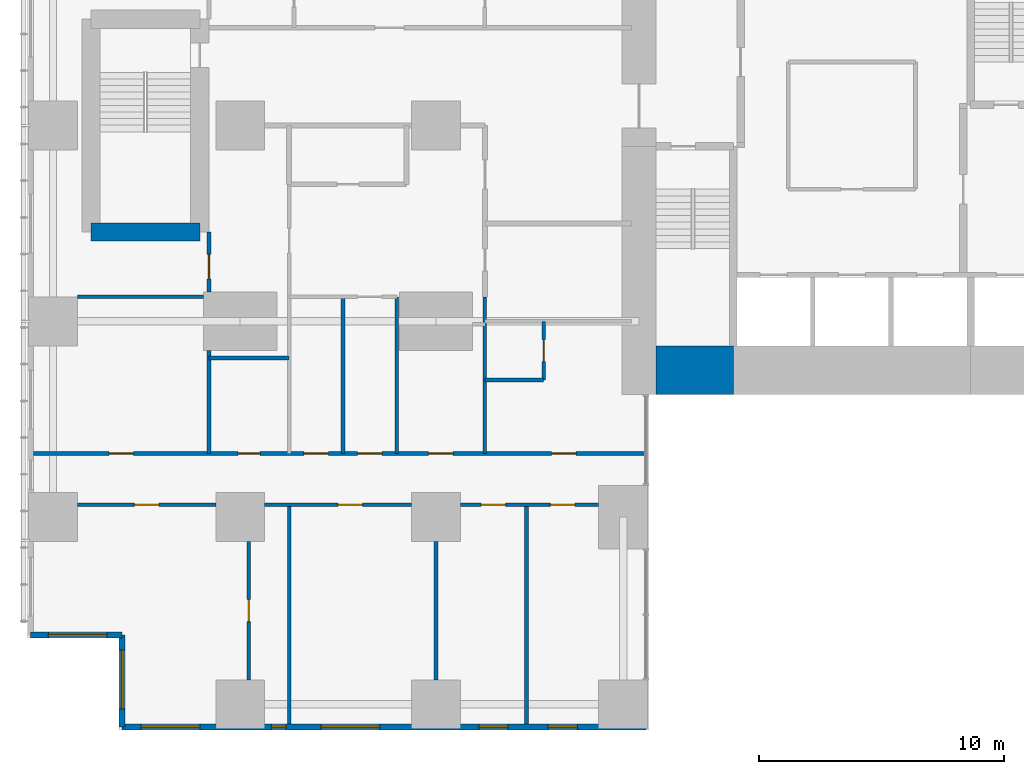
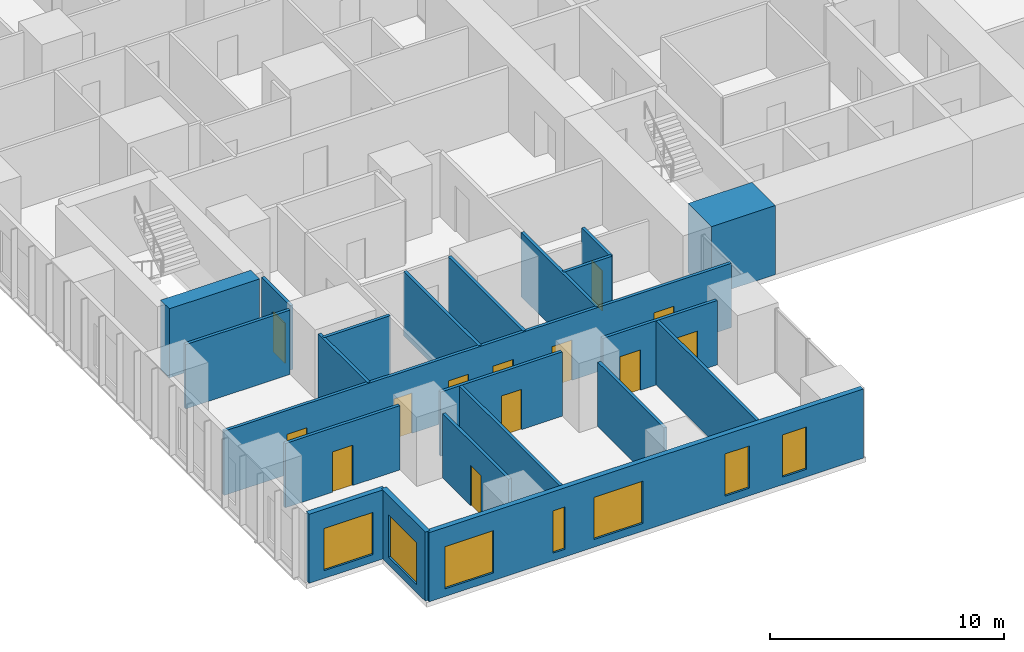
# One storey, part 12 of 20: 22 walls, 13 doors, 7 windows, 20 openings.
"""IFC4 building model written with IfcOpenShell, lengths in metres."""

from ifc_helpers import new_model, si_unit, direction, frame, frame_2d, origin, place, context, subcontext, project, spatial, rectangle, extrude, material, layer, layer_set, type_object, element, fill, save


model = new_model("IFC4")

# Units and contexts
model_context = context("Model", 3, precision=1e-05, world=origin(), true_north=direction((0.0, 1.0)))
body_context = subcontext(model_context, "Body", "Model", "MODEL_VIEW")
ifc_project = project(units=[si_unit("LENGTHUNIT", "METRE"), si_unit("AREAUNIT", "SQUARE_METRE"), si_unit("VOLUMEUNIT", "CUBIC_METRE"), si_unit("PLANEANGLEUNIT", "RADIAN"), si_unit("MASSUNIT", "GRAM", prefix="KILO")], contexts=[model_context])

# Site, building, storey
site_placement = place(None, origin())
site = spatial("IfcSite", under=ifc_project, at=site_placement, CompositionType="ELEMENT")
building_placement = place(site_placement, origin())
building = spatial("IfcBuilding", under=site, at=building_placement, Name="Cleftline Residences", CompositionType="ELEMENT")
storey_placement = place(building_placement, frame((0.0, 0.0, 121.39990234375)))
storey = spatial("IfcBuildingStorey", under=building, at=storey_placement, Name="L31", CompositionType="ELEMENT", Elevation=121.39990234375)

# Wall
ifc_material_1 = material(Name="Concrete B70", Category="concrete")
ifc_layer_1 = layer(ifc_material_1, 2.0)
ifc_layer_set_1 = layer_set([ifc_layer_1], Name="CORE WALL 2000")
wall_type_1 = type_object("IfcWallType", Name="CORE WALL 2000", PredefinedType="SHEAR", material=ifc_layer_set_1)
wall_1_placement = place(storey_placement, frame((25.0, 14.0, 0.0), z_axis=(0.0, 0.0, 1.0), x_axis=(1.0, 0.0, 0.0)))
element("IfcWall", 1, at=wall_1_placement, inside=storey, type_object=wall_type_1, Name="Core wall S1", PredefinedType="SHEAR", context=body_context, shape_type="SweptSolid", body=[
    extrude(rectangle(XDim=3.14990234375, YDim=2.0, at=frame_2d((1.574951171875, 0.0))), origin(), (0.0, 0.0, 1.0), 3.60009765625),
])

# Wall, opening, window
ifc_material_2 = material(Name="Rendered reinforced concrete blockwork", Category="masonry")
ifc_layer_2 = layer(ifc_material_2, 0.25)
ifc_layer_set_2 = layer_set([ifc_layer_2], Name="EXTERNAL WALL 250")
wall_type_2 = type_object("IfcWallType", Name="EXTERNAL WALL 250", PredefinedType="SOLIDWALL", material=ifc_layer_set_2)
wall_2_placement = place(storey_placement, frame((-0.574951171875, 3.175048828125, 0.0), z_axis=(0.0, 0.0, 1.0), x_axis=(1.0, 0.0, 0.0)))
wall_2 = element("IfcWall", 2, at=wall_2_placement, inside=storey, type_object=wall_type_2, Name="External wall", PredefinedType="SOLIDWALL", context=body_context, shape_type="SweptSolid", body=[
    extrude(rectangle(XDim=3.75, YDim=0.25, at=frame_2d((1.875, 0.0))), origin(), (0.0, 0.0, 1.0), 3.60009765625),
])
opening_1_placement = place(wall_2_placement, frame((0.737548828125, 0.0, 0.39990234375)))
opening_1 = element("IfcOpeningElement", 3, at=opening_1_placement, cuts=wall_2, Name="Opening W12", PredefinedType="OPENING", context=body_context, shape_type="SweptSolid", body=[
    extrude(rectangle(XDim=2.39990234375, YDim=2.199951171875, at=frame_2d((1.199951171875, 1.10009765625))), frame((0.0, 0.135009765625, 0.0), z_axis=(0.0, -1.0, 0.0), x_axis=(1.0, 0.0, 0.0)), (0.0, 0.0, 1.0), 0.27001953125),
])
ifc_material_3 = material(Name="Aluminium frame, clear double glazing", Category="aluminium")
window_type_1 = type_object("IfcWindowType", Name="WINDOW 2400X2200", PartitioningType="DOUBLE_PANEL_VERTICAL", PredefinedType="WINDOW", material=ifc_material_3)
window_1_placement = place(opening_1_placement, origin())
window_1 = element("IfcWindow", 4, at=window_1_placement, inside=storey, type_object=window_type_1, Name="Window", OverallHeight=2.199951171875, OverallWidth=2.39990234375, PartitioningType="SINGLE_PANEL", PredefinedType="WINDOW", context=body_context, shape_type="SweptSolid", body=[
    extrude(rectangle(XDim=2.39990234375, YDim=2.199951171875, at=frame_2d((1.199951171875, 1.10009765625))), frame((0.0, 0.030029296875, 0.0), z_axis=(0.0, -1.0, 0.0), x_axis=(1.0, 0.0, 0.0)), (0.0, 0.0, 1.0), 0.06005859375),
])
fill(opening_1, window_1)

wall_3_placement = place(storey_placement, frame((3.175048828125, 3.175048828125, 0.0), z_axis=(0.0, 0.0, 1.0), x_axis=(0.0, -1.0, 0.0)))
wall_3 = element("IfcWall", 5, at=wall_3_placement, inside=storey, type_object=wall_type_2, Name="External wall", PredefinedType="SOLIDWALL", context=body_context, shape_type="SweptSolid", body=[
    extrude(rectangle(XDim=3.75, YDim=0.25, at=frame_2d((1.875, 0.0))), origin(), (0.0, 0.0, 1.0), 3.60009765625),
])
opening_2_placement = place(wall_3_placement, frame((0.612548828125, 0.0, 0.39990234375)))
opening_2 = element("IfcOpeningElement", 6, at=opening_2_placement, cuts=wall_3, Name="Opening W12", PredefinedType="OPENING", context=body_context, shape_type="SweptSolid", body=[
    extrude(rectangle(XDim=2.39990234375, YDim=2.199951171875, at=frame_2d((1.199951171875, 1.10009765625))), frame((0.0, 0.135009765625, 0.0), z_axis=(0.0, -1.0, 0.0), x_axis=(1.0, 0.0, 0.0)), (0.0, 0.0, 1.0), 0.27001953125),
])
window_2_placement = place(opening_2_placement, origin())
window_2 = element("IfcWindow", 7, at=window_2_placement, inside=storey, type_object=window_type_1, Name="Window", OverallHeight=2.199951171875, OverallWidth=2.39990234375, PartitioningType="SINGLE_PANEL", PredefinedType="WINDOW", context=body_context, shape_type="SweptSolid", body=[
    extrude(rectangle(XDim=2.39990234375, YDim=2.199951171875, at=frame_2d((1.199951171875, 1.10009765625))), frame((0.0, 0.030029296875, 0.0), z_axis=(0.0, -1.0, 0.0), x_axis=(1.0, 0.0, 0.0)), (0.0, 0.0, 1.0), 0.06005859375),
])
fill(opening_2, window_2)

# Wall, openings, windows
wall_4_placement = place(storey_placement, frame((3.175048828125, -0.574951171875, 0.0), z_axis=(0.0, 0.0, 1.0), x_axis=(1.0, 0.0, 0.0)))
wall_4 = element("IfcWall", 8, at=wall_4_placement, inside=storey, type_object=wall_type_2, Name="External wall", PredefinedType="SOLIDWALL", context=body_context, shape_type="SweptSolid", body=[
    extrude(rectangle(XDim=21.39990234375, YDim=0.25, at=frame_2d((10.699951171875, 0.0))), origin(), (0.0, 0.0, 1.0), 3.60009765625),
])
opening_3_placement = place(wall_4_placement, frame((0.77490234375, 0.0, 0.39990234375)))
opening_3 = element("IfcOpeningElement", 9, at=opening_3_placement, cuts=wall_4, Name="Opening W12", PredefinedType="OPENING", context=body_context, shape_type="SweptSolid", body=[
    extrude(rectangle(XDim=2.39990234375, YDim=2.199951171875, at=frame_2d((1.199951171875, 1.10009765625))), frame((0.0, 0.135009765625, 0.0), z_axis=(0.0, -1.0, 0.0), x_axis=(1.0, 0.0, 0.0)), (0.0, 0.0, 1.0), 0.27001953125),
])
opening_4_placement = place(wall_4_placement, frame((6.10009765625, 0.0, 0.39990234375)))
opening_4 = element("IfcOpeningElement", 10, at=opening_4_placement, cuts=wall_4, Name="Opening W10", PredefinedType="OPENING", context=body_context, shape_type="SweptSolid", body=[
    extrude(rectangle(XDim=0.60009765625, YDim=2.199951171875, at=frame_2d((0.300048828125, 1.10009765625))), frame((0.0, 0.135009765625, 0.0), z_axis=(0.0, -1.0, 0.0), x_axis=(1.0, 0.0, 0.0)), (0.0, 0.0, 1.0), 0.27001953125),
])
opening_5_placement = place(wall_4_placement, frame((8.125, 0.0, 0.39990234375)))
opening_5 = element("IfcOpeningElement", 11, at=opening_5_placement, cuts=wall_4, Name="Opening W12", PredefinedType="OPENING", context=body_context, shape_type="SweptSolid", body=[
    extrude(rectangle(XDim=2.39990234375, YDim=2.199951171875, at=frame_2d((1.199951171875, 1.10009765625))), frame((0.0, 0.135009765625, 0.0), z_axis=(0.0, -1.0, 0.0), x_axis=(1.0, 0.0, 0.0)), (0.0, 0.0, 1.0), 0.27001953125),
])
opening_6_placement = place(wall_4_placement, frame((14.574951171875, 0.0, 0.39990234375)))
opening_6 = element("IfcOpeningElement", 12, at=opening_6_placement, cuts=wall_4, Name="Opening W11", PredefinedType="OPENING", context=body_context, shape_type="SweptSolid", body=[
    extrude(rectangle(XDim=1.199951171875, YDim=2.199951171875, at=frame_2d((0.60009765625, 1.10009765625))), frame((0.0, 0.135009765625, 0.0), z_axis=(0.0, -1.0, 0.0), x_axis=(1.0, 0.0, 0.0)), (0.0, 0.0, 1.0), 0.27001953125),
])
opening_7_placement = place(wall_4_placement, frame((17.39990234375, 0.0, 0.39990234375)))
opening_7 = element("IfcOpeningElement", 13, at=opening_7_placement, cuts=wall_4, Name="Opening W11", PredefinedType="OPENING", context=body_context, shape_type="SweptSolid", body=[
    extrude(rectangle(XDim=1.199951171875, YDim=2.199951171875, at=frame_2d((0.60009765625, 1.10009765625))), frame((0.0, 0.135009765625, 0.0), z_axis=(0.0, -1.0, 0.0), x_axis=(1.0, 0.0, 0.0)), (0.0, 0.0, 1.0), 0.27001953125),
])
ifc_material_4 = material(Name="Aluminium frame, clear double glazing", Category="aluminium")
window_type_2 = type_object("IfcWindowType", Name="WINDOW 1200X2200", PartitioningType="DOUBLE_PANEL_VERTICAL", PredefinedType="WINDOW", material=ifc_material_4)
window_3_placement = place(opening_6_placement, origin())
window_3 = element("IfcWindow", 14, at=window_3_placement, inside=storey, type_object=window_type_2, Name="Window", OverallHeight=2.199951171875, OverallWidth=1.199951171875, PartitioningType="SINGLE_PANEL", PredefinedType="WINDOW", context=body_context, shape_type="SweptSolid", body=[
    extrude(rectangle(XDim=1.199951171875, YDim=2.199951171875, at=frame_2d((0.60009765625, 1.10009765625))), frame((0.0, 0.030029296875, 0.0), z_axis=(0.0, -1.0, 0.0), x_axis=(1.0, 0.0, 0.0)), (0.0, 0.0, 1.0), 0.06005859375),
])
fill(opening_6, window_3)
window_4_placement = place(opening_7_placement, origin())
window_4 = element("IfcWindow", 15, at=window_4_placement, inside=storey, type_object=window_type_2, Name="Window", OverallHeight=2.199951171875, OverallWidth=1.199951171875, PartitioningType="SINGLE_PANEL", PredefinedType="WINDOW", context=body_context, shape_type="SweptSolid", body=[
    extrude(rectangle(XDim=1.199951171875, YDim=2.199951171875, at=frame_2d((0.60009765625, 1.10009765625))), frame((0.0, 0.030029296875, 0.0), z_axis=(0.0, -1.0, 0.0), x_axis=(1.0, 0.0, 0.0)), (0.0, 0.0, 1.0), 0.06005859375),
])
fill(opening_7, window_4)
window_5_placement = place(opening_3_placement, origin())
window_5 = element("IfcWindow", 16, at=window_5_placement, inside=storey, type_object=window_type_1, Name="Window", OverallHeight=2.199951171875, OverallWidth=2.39990234375, PartitioningType="SINGLE_PANEL", PredefinedType="WINDOW", context=body_context, shape_type="SweptSolid", body=[
    extrude(rectangle(XDim=2.39990234375, YDim=2.199951171875, at=frame_2d((1.199951171875, 1.10009765625))), frame((0.0, 0.030029296875, 0.0), z_axis=(0.0, -1.0, 0.0), x_axis=(1.0, 0.0, 0.0)), (0.0, 0.0, 1.0), 0.06005859375),
])
fill(opening_3, window_5)
window_6_placement = place(opening_5_placement, origin())
window_6 = element("IfcWindow", 17, at=window_6_placement, inside=storey, type_object=window_type_1, Name="Window", OverallHeight=2.199951171875, OverallWidth=2.39990234375, PartitioningType="SINGLE_PANEL", PredefinedType="WINDOW", context=body_context, shape_type="SweptSolid", body=[
    extrude(rectangle(XDim=2.39990234375, YDim=2.199951171875, at=frame_2d((1.199951171875, 1.10009765625))), frame((0.0, 0.030029296875, 0.0), z_axis=(0.0, -1.0, 0.0), x_axis=(1.0, 0.0, 0.0)), (0.0, 0.0, 1.0), 0.06005859375),
])
fill(opening_5, window_6)
ifc_material_5 = material(Name="Aluminium frame, clear double glazing", Category="aluminium")
window_type_3 = type_object("IfcWindowType", Name="WINDOW 600X2200", PartitioningType="DOUBLE_PANEL_VERTICAL", PredefinedType="WINDOW", material=ifc_material_5)
window_7_placement = place(opening_4_placement, origin())
window_7 = element("IfcWindow", 18, at=window_7_placement, inside=storey, type_object=window_type_3, Name="Window", OverallHeight=2.199951171875, OverallWidth=0.60009765625, PartitioningType="SINGLE_PANEL", PredefinedType="WINDOW", context=body_context, shape_type="SweptSolid", body=[
    extrude(rectangle(XDim=0.60009765625, YDim=2.199951171875, at=frame_2d((0.300048828125, 1.10009765625))), frame((0.0, 0.030029296875, 0.0), z_axis=(0.0, -1.0, 0.0), x_axis=(1.0, 0.0, 0.0)), (0.0, 0.0, 1.0), 0.06005859375),
])
fill(opening_4, window_7)

# Wall, opening, door
ifc_material_6 = material(Name="Gypsum board on steel studs", Category="steel")
ifc_layer_3 = layer(ifc_material_6, 0.14990234375)
ifc_layer_set_3 = layer_set([ifc_layer_3], Name="PARTITION 150")
wall_type_3 = type_object("IfcWallType", Name="PARTITION 150", PredefinedType="PARTITIONING", material=ifc_layer_set_3)
wall_5_placement = place(storey_placement, frame((1.35009765625, 8.5, 0.0), z_axis=(0.0, 0.0, 1.0), x_axis=(1.0, 0.0, 0.0)))
wall_5 = element("IfcWall", 19, at=wall_5_placement, inside=storey, type_object=wall_type_3, Name="Partition", PredefinedType="PARTITIONING", context=body_context, shape_type="SweptSolid", body=[
    extrude(rectangle(XDim=5.64990234375, YDim=0.14990234375, at=frame_2d((2.824951171875, 0.0))), origin(), (0.0, 0.0, 1.0), 3.35009765625),
])
opening_8_placement = place(wall_5_placement, frame((2.324951171875, 0.0, 0.0)))
opening_8 = element("IfcOpeningElement", 20, at=opening_8_placement, cuts=wall_5, Name="Opening D2", PredefinedType="OPENING", context=body_context, shape_type="SweptSolid", body=[
    extrude(rectangle(XDim=1.0, YDim=2.10009765625, at=frame_2d((0.5, 1.050048828125))), frame((0.0, 0.0849609375, 0.0), z_axis=(0.0, -1.0, 0.0), x_axis=(1.0, 0.0, 0.0)), (0.0, 0.0, 1.0), 0.169921875),
])
ifc_material_7 = material(Name="Timber veneer on solid core", Category="wood")
door_type_1 = type_object("IfcDoorType", Name="DOOR 1000X2100", OperationType="SINGLE_SWING_LEFT", PredefinedType="DOOR", material=ifc_material_7)
door_1_placement = place(opening_8_placement, origin())
door_1 = element("IfcDoor", 21, at=door_1_placement, inside=storey, type_object=door_type_1, Name="Door to formal living room", OperationType="SINGLE_SWING_LEFT", OverallHeight=2.10009765625, OverallWidth=1.0, PredefinedType="DOOR", context=body_context, shape_type="SweptSolid", body=[
    extrude(rectangle(XDim=1.0, YDim=2.10009765625, at=frame_2d((0.5, 1.050048828125))), frame((0.0, 0.02490234375, 0.0), z_axis=(0.0, -1.0, 0.0), x_axis=(1.0, 0.0, 0.0)), (0.0, 0.0, 1.0), 0.050048828125),
])
fill(opening_8, door_1)

wall_6_placement = place(storey_placement, frame((9.0, 8.5, 0.0), z_axis=(0.0, 0.0, 1.0), x_axis=(1.0, 0.0, 0.0)))
wall_6 = element("IfcWall", 22, at=wall_6_placement, inside=storey, type_object=wall_type_3, Name="Partition", PredefinedType="PARTITIONING", context=body_context, shape_type="SweptSolid", body=[
    extrude(rectangle(XDim=6.0, YDim=0.14990234375, at=frame_2d((3.0, 0.0))), origin(), (0.0, 0.0, 1.0), 3.35009765625),
])
opening_9_placement = place(wall_6_placement, frame((3.0, 0.0, 0.0)))
opening_9 = element("IfcOpeningElement", 23, at=opening_9_placement, cuts=wall_6, Name="Opening D2", PredefinedType="OPENING", context=body_context, shape_type="SweptSolid", body=[
    extrude(rectangle(XDim=1.0, YDim=2.10009765625, at=frame_2d((0.5, 1.050048828125))), frame((0.0, 0.0849609375, 0.0), z_axis=(0.0, -1.0, 0.0), x_axis=(1.0, 0.0, 0.0)), (0.0, 0.0, 1.0), 0.169921875),
])
door_2_placement = place(opening_9_placement, origin())
door_2 = element("IfcDoor", 24, at=door_2_placement, inside=storey, type_object=door_type_1, Name="Door to formal dining room", OperationType="SINGLE_SWING_LEFT", OverallHeight=2.10009765625, OverallWidth=1.0, PredefinedType="DOOR", context=body_context, shape_type="SweptSolid", body=[
    extrude(rectangle(XDim=1.0, YDim=2.10009765625, at=frame_2d((0.5, 1.050048828125))), frame((0.0, 0.02490234375, 0.0), z_axis=(0.0, -1.0, 0.0), x_axis=(1.0, 0.0, 0.0)), (0.0, 0.0, 1.0), 0.050048828125),
])
fill(opening_9, door_2)

# Wall, openings, doors
wall_7_placement = place(storey_placement, frame((17.0, 8.5, 0.0), z_axis=(0.0, 0.0, 1.0), x_axis=(1.0, 0.0, 0.0)))
wall_7 = element("IfcWall", 25, at=wall_7_placement, inside=storey, type_object=wall_type_3, Name="Partition", PredefinedType="PARTITIONING", context=body_context, shape_type="SweptSolid", body=[
    extrude(rectangle(XDim=5.64990234375, YDim=0.14990234375, at=frame_2d((2.824951171875, 0.0))), origin(), (0.0, 0.0, 1.0), 3.35009765625),
])
opening_10_placement = place(wall_7_placement, frame((0.85009765625, 0.0, 0.0)))
opening_10 = element("IfcOpeningElement", 26, at=opening_10_placement, cuts=wall_7, Name="Opening D2", PredefinedType="OPENING", context=body_context, shape_type="SweptSolid", body=[
    extrude(rectangle(XDim=1.0, YDim=2.10009765625, at=frame_2d((0.5, 1.050048828125))), frame((0.0, 0.0849609375, 0.0), z_axis=(0.0, -1.0, 0.0), x_axis=(1.0, 0.0, 0.0)), (0.0, 0.0, 1.0), 0.169921875),
])
opening_11_placement = place(wall_7_placement, frame((3.675048828125, 0.0, 0.0)))
opening_11 = element("IfcOpeningElement", 27, at=opening_11_placement, cuts=wall_7, Name="Opening D2", PredefinedType="OPENING", context=body_context, shape_type="SweptSolid", body=[
    extrude(rectangle(XDim=1.0, YDim=2.10009765625, at=frame_2d((0.5, 1.050048828125))), frame((0.0, 0.0849609375, 0.0), z_axis=(0.0, -1.0, 0.0), x_axis=(1.0, 0.0, 0.0)), (0.0, 0.0, 1.0), 0.169921875),
])
door_3_placement = place(opening_10_placement, origin())
door_3 = element("IfcDoor", 28, at=door_3_placement, inside=storey, type_object=door_type_1, Name="Door to breakfast room", OperationType="SINGLE_SWING_RIGHT", OverallHeight=2.10009765625, OverallWidth=1.0, PredefinedType="DOOR", context=body_context, shape_type="SweptSolid", body=[
    extrude(rectangle(XDim=1.0, YDim=2.10009765625, at=frame_2d((0.5, 1.050048828125))), frame((0.0, 0.02490234375, 0.0), z_axis=(0.0, -1.0, 0.0), x_axis=(1.0, 0.0, 0.0)), (0.0, 0.0, 1.0), 0.050048828125),
])
fill(opening_10, door_3)
door_4_placement = place(opening_11_placement, origin())
door_4 = element("IfcDoor", 29, at=door_4_placement, inside=storey, type_object=door_type_1, Name="Door to show kitchen", OperationType="SINGLE_SWING_LEFT", OverallHeight=2.10009765625, OverallWidth=1.0, PredefinedType="DOOR", context=body_context, shape_type="SweptSolid", body=[
    extrude(rectangle(XDim=1.0, YDim=2.10009765625, at=frame_2d((0.5, 1.050048828125))), frame((0.0, 0.02490234375, 0.0), z_axis=(0.0, -1.0, 0.0), x_axis=(1.0, 0.0, 0.0)), (0.0, 0.0, 1.0), 0.050048828125),
])
fill(opening_11, door_4)

wall_8_placement = place(storey_placement, frame((-0.449951171875, 10.60009765625, 0.0), z_axis=(0.0, 0.0, 1.0), x_axis=(1.0, 0.0, 0.0)))
wall_8 = element("IfcWall", 30, at=wall_8_placement, inside=storey, type_object=wall_type_3, Name="Partition", PredefinedType="PARTITIONING", context=body_context, shape_type="SweptSolid", body=[
    extrude(rectangle(XDim=25.010986328125, YDim=0.14990234375, at=frame_2d((12.50537109375, 0.0))), origin(), (0.0, 0.0, 1.0), 3.35009765625),
])
opening_12_placement = place(wall_8_placement, frame((13.25, 0.0, 0.0)))
opening_12 = element("IfcOpeningElement", 31, at=opening_12_placement, cuts=wall_8, Name="Opening D2F30", PredefinedType="OPENING", context=body_context, shape_type="SweptSolid", body=[
    extrude(rectangle(XDim=1.0, YDim=2.10009765625, at=frame_2d((0.5, 1.050048828125))), frame((0.0, 0.0849609375, 0.0), z_axis=(0.0, -1.0, 0.0), x_axis=(1.0, 0.0, 0.0)), (0.0, 0.0, 1.0), 0.169921875),
])
opening_13_placement = place(wall_8_placement, frame((3.08740234375, 0.0, 0.0)))
opening_13 = element("IfcOpeningElement", 32, at=opening_13_placement, cuts=wall_8, Name="Opening D2F30", PredefinedType="OPENING", context=body_context, shape_type="SweptSolid", body=[
    extrude(rectangle(XDim=1.0, YDim=2.10009765625, at=frame_2d((0.5, 1.050048828125))), frame((0.0, 0.0849609375, 0.0), z_axis=(0.0, -1.0, 0.0), x_axis=(1.0, 0.0, 0.0)), (0.0, 0.0, 1.0), 0.169921875),
])
opening_14_placement = place(wall_8_placement, frame((8.362548828125, 0.0, 0.0)))
opening_14 = element("IfcOpeningElement", 33, at=opening_14_placement, cuts=wall_8, Name="Opening D1F30", PredefinedType="OPENING", context=body_context, shape_type="SweptSolid", body=[
    extrude(rectangle(XDim=0.89990234375, YDim=2.10009765625, at=frame_2d((0.449951171875, 1.050048828125))), frame((0.0, 0.0849609375, 0.0), z_axis=(0.0, -1.0, 0.0), x_axis=(1.0, 0.0, 0.0)), (0.0, 0.0, 1.0), 0.169921875),
])
opening_15_placement = place(wall_8_placement, frame((11.050048828125, 0.0, 0.0)))
opening_15 = element("IfcOpeningElement", 34, at=opening_15_placement, cuts=wall_8, Name="Opening D2F30", PredefinedType="OPENING", context=body_context, shape_type="SweptSolid", body=[
    extrude(rectangle(XDim=1.0, YDim=2.10009765625, at=frame_2d((0.5, 1.050048828125))), frame((0.0, 0.0849609375, 0.0), z_axis=(0.0, -1.0, 0.0), x_axis=(1.0, 0.0, 0.0)), (0.0, 0.0, 1.0), 0.169921875),
])
opening_16_placement = place(wall_8_placement, frame((16.14990234375, 0.0, 0.0)))
opening_16 = element("IfcOpeningElement", 35, at=opening_16_placement, cuts=wall_8, Name="Opening D2F30", PredefinedType="OPENING", context=body_context, shape_type="SweptSolid", body=[
    extrude(rectangle(XDim=1.0, YDim=2.10009765625, at=frame_2d((0.5, 1.050048828125))), frame((0.0, 0.0849609375, 0.0), z_axis=(0.0, -1.0, 0.0), x_axis=(1.0, 0.0, 0.0)), (0.0, 0.0, 1.0), 0.169921875),
])
opening_17_placement = place(wall_8_placement, frame((21.175048828125, 0.0, 0.0)))
opening_17 = element("IfcOpeningElement", 36, at=opening_17_placement, cuts=wall_8, Name="Opening D2F30", PredefinedType="OPENING", context=body_context, shape_type="SweptSolid", body=[
    extrude(rectangle(XDim=1.0, YDim=2.10009765625, at=frame_2d((0.5, 1.050048828125))), frame((0.0, 0.0849609375, 0.0), z_axis=(0.0, -1.0, 0.0), x_axis=(1.0, 0.0, 0.0)), (0.0, 0.0, 1.0), 0.169921875),
])
ifc_material_8 = material(Name="Timber veneer on solid core", Category="wood")
door_type_2 = type_object("IfcDoorType", Name="DOOR 1000X2100 EI 30", OperationType="SINGLE_SWING_LEFT", PredefinedType="DOOR", material=ifc_material_8)
door_5_placement = place(opening_12_placement, origin())
door_5 = element("IfcDoor", 37, at=door_5_placement, inside=storey, type_object=door_type_2, Name="Door to residence hall (gallery)", OperationType="SINGLE_SWING_LEFT", OverallHeight=2.10009765625, OverallWidth=1.0, PredefinedType="DOOR", context=body_context, shape_type="SweptSolid", body=[
    extrude(rectangle(XDim=1.0, YDim=2.10009765625, at=frame_2d((0.5, 1.050048828125))), frame((0.0, 0.02490234375, 0.0), z_axis=(0.0, -1.0, 0.0), x_axis=(1.0, 0.0, 0.0)), (0.0, 0.0, 1.0), 0.050048828125),
])
fill(opening_12, door_5)
door_6_placement = place(opening_13_placement, origin())
door_6 = element("IfcDoor", 38, at=door_6_placement, inside=storey, type_object=door_type_2, Name="Door to winter garden", OperationType="SINGLE_SWING_RIGHT", OverallHeight=2.10009765625, OverallWidth=1.0, PredefinedType="DOOR", context=body_context, shape_type="SweptSolid", body=[
    extrude(rectangle(XDim=1.0, YDim=2.10009765625, at=frame_2d((0.5, 1.050048828125))), frame((0.0, 0.02490234375, 0.0), z_axis=(0.0, -1.0, 0.0), x_axis=(1.0, 0.0, 0.0)), (0.0, 0.0, 1.0), 0.050048828125),
])
fill(opening_13, door_6)
door_7_placement = place(opening_15_placement, origin())
door_7 = element("IfcDoor", 39, at=door_7_placement, inside=storey, type_object=door_type_2, Name="Door to family room", OperationType="SINGLE_SWING_RIGHT", OverallHeight=2.10009765625, OverallWidth=1.0, PredefinedType="DOOR", context=body_context, shape_type="SweptSolid", body=[
    extrude(rectangle(XDim=1.0, YDim=2.10009765625, at=frame_2d((0.5, 1.050048828125))), frame((0.0, 0.02490234375, 0.0), z_axis=(0.0, -1.0, 0.0), x_axis=(1.0, 0.0, 0.0)), (0.0, 0.0, 1.0), 0.050048828125),
])
fill(opening_15, door_7)
door_8_placement = place(opening_16_placement, origin())
door_8 = element("IfcDoor", 40, at=door_8_placement, inside=storey, type_object=door_type_2, Name="Door to wet kitchen", OperationType="SINGLE_SWING_LEFT", OverallHeight=2.10009765625, OverallWidth=1.0, PredefinedType="DOOR", context=body_context, shape_type="SweptSolid", body=[
    extrude(rectangle(XDim=1.0, YDim=2.10009765625, at=frame_2d((0.5, 1.050048828125))), frame((0.0, 0.02490234375, 0.0), z_axis=(0.0, -1.0, 0.0), x_axis=(1.0, 0.0, 0.0)), (0.0, 0.0, 1.0), 0.050048828125),
])
fill(opening_16, door_8)
door_9_placement = place(opening_17_placement, origin())
door_9 = element("IfcDoor", 41, at=door_9_placement, inside=storey, type_object=door_type_2, Name="Door to staff bedroom", OperationType="SINGLE_SWING_LEFT", OverallHeight=2.10009765625, OverallWidth=1.0, PredefinedType="DOOR", context=body_context, shape_type="SweptSolid", body=[
    extrude(rectangle(XDim=1.0, YDim=2.10009765625, at=frame_2d((0.5, 1.050048828125))), frame((0.0, 0.02490234375, 0.0), z_axis=(0.0, -1.0, 0.0), x_axis=(1.0, 0.0, 0.0)), (0.0, 0.0, 1.0), 0.050048828125),
])
fill(opening_17, door_9)
ifc_material_9 = material(Name="Timber veneer on solid core", Category="wood")
door_type_3 = type_object("IfcDoorType", Name="DOOR 900X2100 EI 30", OperationType="SINGLE_SWING_LEFT", PredefinedType="DOOR", material=ifc_material_9)
door_10_placement = place(opening_14_placement, origin())
door_10 = element("IfcDoor", 42, at=door_10_placement, inside=storey, type_object=door_type_3, Name="Door to store room", OperationType="SINGLE_SWING_RIGHT", OverallHeight=2.10009765625, OverallWidth=0.89990234375, PredefinedType="DOOR", context=body_context, shape_type="SweptSolid", body=[
    extrude(rectangle(XDim=0.89990234375, YDim=2.10009765625, at=frame_2d((0.449951171875, 1.050048828125))), frame((0.0, 0.02490234375, 0.0), z_axis=(0.0, -1.0, 0.0), x_axis=(1.0, 0.0, 0.0)), (0.0, 0.0, 1.0), 0.050048828125),
])
fill(opening_14, door_10)

# Walls
wall_9_placement = place(storey_placement, frame((18.0, 13.60009765625, 0.0), z_axis=(0.0, 0.0, 1.0), x_axis=(1.0, 0.0, 0.0)))
element("IfcWall", 43, at=wall_9_placement, inside=storey, type_object=wall_type_3, Name="Partition", PredefinedType="PARTITIONING", context=body_context, shape_type="SweptSolid", body=[
    extrude(rectangle(XDim=2.39990234375, YDim=0.14990234375, at=frame_2d((1.199951171875, 0.0))), origin(), (0.0, 0.0, 1.0), 3.35009765625),
])
wall_10_placement = place(storey_placement, frame((6.72509765625, 14.5, 0.0), z_axis=(0.0, 0.0, 1.0), x_axis=(1.0, 0.0, 0.0)))
element("IfcWall", 44, at=wall_10_placement, inside=storey, type_object=wall_type_3, Name="Partition", PredefinedType="PARTITIONING", context=body_context, shape_type="SweptSolid", body=[
    extrude(rectangle(XDim=3.27490234375, YDim=0.14990234375, at=frame_2d((1.637451171875, 0.0))), origin(), (0.0, 0.0, 1.0), 3.35009765625),
])
wall_11_placement = place(storey_placement, frame((1.35009765625, 17.0, 0.0), z_axis=(0.0, 0.0, 1.0), x_axis=(1.0, 0.0, 0.0)))
element("IfcWall", 45, at=wall_11_placement, inside=storey, type_object=wall_type_3, Name="Partition", PredefinedType="PARTITIONING", context=body_context, shape_type="SweptSolid", body=[
    extrude(rectangle(XDim=5.14990234375, YDim=0.14990234375, at=frame_2d((2.574951171875, 0.0))), origin(), (0.0, 0.0, 1.0), 3.35009765625),
])
wall_12_placement = place(storey_placement, frame((6.72509765625, 10.60009765625, 0.0), z_axis=(0.0, 0.0, 1.0), x_axis=(0.0, 1.0, 0.0)))
element("IfcWall", 46, at=wall_12_placement, inside=storey, type_object=wall_type_3, Name="Partition", PredefinedType="PARTITIONING", context=body_context, shape_type="SweptSolid", body=[
    extrude(rectangle(XDim=4.199951171875, YDim=0.14990234375, at=frame_2d((2.10009765625, 0.0))), origin(), (0.0, 0.0, 1.0), 3.35009765625),
])

# Wall, opening, door
wall_13_placement = place(storey_placement, frame((6.72509765625, 17.199951171875, 0.0), z_axis=(0.0, 0.0, 1.0), x_axis=(0.0, 1.0, 0.0)))
wall_13 = element("IfcWall", 47, at=wall_13_placement, inside=storey, type_object=wall_type_3, Name="Partition", PredefinedType="PARTITIONING", context=body_context, shape_type="SweptSolid", body=[
    extrude(rectangle(XDim=2.449951171875, YDim=0.14990234375, at=frame_2d((1.22509765625, 0.0))), origin(), (0.0, 0.0, 1.0), 3.35009765625),
])
opening_18_placement = place(wall_13_placement, frame((0.53759765625, 0.0, 0.0)))
opening_18 = element("IfcOpeningElement", 48, at=opening_18_placement, cuts=wall_13, Name="Opening D2", PredefinedType="OPENING", context=body_context, shape_type="SweptSolid", body=[
    extrude(rectangle(XDim=1.0, YDim=2.10009765625, at=frame_2d((0.5, 1.050048828125))), frame((0.0, 0.0849609375, 0.0), z_axis=(0.0, -1.0, 0.0), x_axis=(1.0, 0.0, 0.0)), (0.0, 0.0, 1.0), 0.169921875),
])
door_11_placement = place(opening_18_placement, origin())
door_11 = element("IfcDoor", 49, at=door_11_placement, inside=storey, type_object=door_type_1, Name="Door to altar room", OperationType="SINGLE_SWING_RIGHT", OverallHeight=2.10009765625, OverallWidth=1.0, PredefinedType="DOOR", context=body_context, shape_type="SweptSolid", body=[
    extrude(rectangle(XDim=1.0, YDim=2.10009765625, at=frame_2d((0.5, 1.050048828125))), frame((0.0, 0.02490234375, 0.0), z_axis=(0.0, -1.0, 0.0), x_axis=(1.0, 0.0, 0.0)), (0.0, 0.0, 1.0), 0.050048828125),
])
fill(opening_18, door_11)

wall_14_placement = place(storey_placement, frame((8.35009765625, 1.35009765625, 0.0), z_axis=(0.0, 0.0, 1.0), x_axis=(0.0, 1.0, 0.0)))
wall_14 = element("IfcWall", 50, at=wall_14_placement, inside=storey, type_object=wall_type_3, Name="Partition", PredefinedType="PARTITIONING", context=body_context, shape_type="SweptSolid", body=[
    extrude(rectangle(XDim=5.64990234375, YDim=0.14990234375, at=frame_2d((2.824951171875, 0.0))), origin(), (0.0, 0.0, 1.0), 3.35009765625),
])
opening_19_placement = place(wall_14_placement, frame((2.375, 0.0, 0.0)))
opening_19 = element("IfcOpeningElement", 51, at=opening_19_placement, cuts=wall_14, Name="Opening D1", PredefinedType="OPENING", context=body_context, shape_type="SweptSolid", body=[
    extrude(rectangle(XDim=0.89990234375, YDim=2.10009765625, at=frame_2d((0.449951171875, 1.050048828125))), frame((0.0, 0.0849609375, 0.0), z_axis=(0.0, -1.0, 0.0), x_axis=(1.0, 0.0, 0.0)), (0.0, 0.0, 1.0), 0.169921875),
])
ifc_material_10 = material(Name="Timber veneer on solid core", Category="wood")
door_type_4 = type_object("IfcDoorType", Name="DOOR 900X2100", OperationType="SINGLE_SWING_LEFT", PredefinedType="DOOR", material=ifc_material_10)
door_12_placement = place(opening_19_placement, origin())
door_12 = element("IfcDoor", 52, at=door_12_placement, inside=storey, type_object=door_type_4, Name="Door to store room", OperationType="SINGLE_SWING_LEFT", OverallHeight=2.10009765625, OverallWidth=0.89990234375, PredefinedType="DOOR", context=body_context, shape_type="SweptSolid", body=[
    extrude(rectangle(XDim=0.89990234375, YDim=2.10009765625, at=frame_2d((0.449951171875, 1.050048828125))), frame((0.0, 0.02490234375, 0.0), z_axis=(0.0, -1.0, 0.0), x_axis=(1.0, 0.0, 0.0)), (0.0, 0.0, 1.0), 0.050048828125),
])
fill(opening_19, door_12)

# Walls
wall_15_placement = place(storey_placement, frame((10.0, -0.449951171875, 0.0), z_axis=(0.0, 0.0, 1.0), x_axis=(0.0, 1.0, 0.0)))
element("IfcWall", 53, at=wall_15_placement, inside=storey, type_object=wall_type_3, Name="Partition", PredefinedType="PARTITIONING", context=body_context, shape_type="SweptSolid", body=[
    extrude(rectangle(XDim=8.949951171875, YDim=0.14990234375, at=frame_2d((4.47509765625, 0.0))), origin(), (0.0, 0.0, 1.0), 3.35009765625),
])
for number, where, z_axis, x_axis, name in (
    (54, (12.199951171875, 10.60009765625, 0.0), (0.0, 0.0, 1.0), (0.0, 1.0, 0.0), "Partition"),
    (55, (14.39990234375, 10.60009765625, 0.0), (0.0, 0.0, 1.0), (0.0, 1.0, 0.0), "Partition"),
):
    element("IfcWall", number, at=place(storey_placement, frame(where, z_axis=z_axis, x_axis=x_axis)), inside=storey, type_object=wall_type_3, Name=name, PredefinedType="PARTITIONING", context=body_context, shape_type="SweptSolid", body=[
        extrude(rectangle(XDim=6.39990234375, YDim=0.14990234375, at=frame_2d((3.199951171875, 0.0))), origin(), (0.0, 0.0, 1.0), 3.35009765625),
    ])
wall_16_placement = place(storey_placement, frame((16.0, 1.35009765625, 0.0), z_axis=(0.0, 0.0, 1.0), x_axis=(0.0, 1.0, 0.0)))
element("IfcWall", 56, at=wall_16_placement, inside=storey, type_object=wall_type_3, Name="Partition", PredefinedType="PARTITIONING", context=body_context, shape_type="SweptSolid", body=[
    extrude(rectangle(XDim=5.64990234375, YDim=0.14990234375, at=frame_2d((2.824951171875, 0.0))), origin(), (0.0, 0.0, 1.0), 3.35009765625),
])
wall_17_placement = place(storey_placement, frame((18.0, 10.60009765625, 0.0), z_axis=(0.0, 0.0, 1.0), x_axis=(0.0, 1.0, 0.0)))
element("IfcWall", 57, at=wall_17_placement, inside=storey, type_object=wall_type_3, Name="Partition", PredefinedType="PARTITIONING", context=body_context, shape_type="SweptSolid", body=[
    extrude(rectangle(XDim=6.39990234375, YDim=0.14990234375, at=frame_2d((3.199951171875, 0.0))), origin(), (0.0, 0.0, 1.0), 3.35009765625),
])
wall_18_placement = place(storey_placement, frame((19.699951171875, -0.449951171875, 0.0), z_axis=(0.0, 0.0, 1.0), x_axis=(0.0, 1.0, 0.0)))
element("IfcWall", 58, at=wall_18_placement, inside=storey, type_object=wall_type_3, Name="Partition", PredefinedType="PARTITIONING", context=body_context, shape_type="SweptSolid", body=[
    extrude(rectangle(XDim=8.949951171875, YDim=0.14990234375, at=frame_2d((4.47509765625, 0.0))), origin(), (0.0, 0.0, 1.0), 3.35009765625),
])

# Wall, opening, door
wall_19_placement = place(storey_placement, frame((20.39990234375, 13.60009765625, 0.0), z_axis=(0.0, 0.0, 1.0), x_axis=(0.0, 1.0, 0.0)))
wall_19 = element("IfcWall", 59, at=wall_19_placement, inside=storey, type_object=wall_type_3, Name="Partition", PredefinedType="PARTITIONING", context=body_context, shape_type="SweptSolid", body=[
    extrude(rectangle(XDim=2.39990234375, YDim=0.14990234375, at=frame_2d((1.199951171875, 0.0))), origin(), (0.0, 0.0, 1.0), 3.35009765625),
])
opening_20_placement = place(wall_19_placement, frame((0.75, 0.0, 0.0)))
opening_20 = element("IfcOpeningElement", 60, at=opening_20_placement, cuts=wall_19, Name="Opening D1", PredefinedType="OPENING", context=body_context, shape_type="SweptSolid", body=[
    extrude(rectangle(XDim=0.89990234375, YDim=2.10009765625, at=frame_2d((0.449951171875, 1.050048828125))), frame((0.0, 0.0849609375, 0.0), z_axis=(0.0, -1.0, 0.0), x_axis=(1.0, 0.0, 0.0)), (0.0, 0.0, 1.0), 0.169921875),
])
door_13_placement = place(opening_20_placement, origin())
door_13 = element("IfcDoor", 61, at=door_13_placement, inside=storey, type_object=door_type_4, Name="Door to staff shower room", OperationType="SINGLE_SWING_LEFT", OverallHeight=2.10009765625, OverallWidth=0.89990234375, PredefinedType="DOOR", context=body_context, shape_type="SweptSolid", body=[
    extrude(rectangle(XDim=0.89990234375, YDim=2.10009765625, at=frame_2d((0.449951171875, 1.050048828125))), frame((0.0, 0.02490234375, 0.0), z_axis=(0.0, -1.0, 0.0), x_axis=(1.0, 0.0, 0.0)), (0.0, 0.0, 1.0), 0.050048828125),
])
fill(opening_20, door_13)

# Wall
ifc_material_11 = material(Name="Concrete B70", Category="concrete")
ifc_layer_4 = layer(ifc_material_11, 0.75)
ifc_layer_set_4 = layer_set([ifc_layer_4], Name="SHEAR WALL 750")
wall_type_4 = type_object("IfcWallType", Name="SHEAR WALL 750", PredefinedType="SHEAR", material=ifc_layer_set_4)
wall_20_placement = place(storey_placement, frame((1.89990234375, 19.64990234375, 0.0), z_axis=(0.0, 0.0, 1.0), x_axis=(1.0, 0.0, 0.0)))
element("IfcWall", 62, at=wall_20_placement, inside=storey, type_object=wall_type_4, Name="Wing shear wall", PredefinedType="SHEAR", context=body_context, shape_type="SweptSolid", body=[
    extrude(rectangle(XDim=4.4501953125, YDim=0.75, at=frame_2d((2.22509765625, 0.0))), origin(), (0.0, 0.0, 1.0), 3.60009765625),
])

save(model, "model.ifc")
